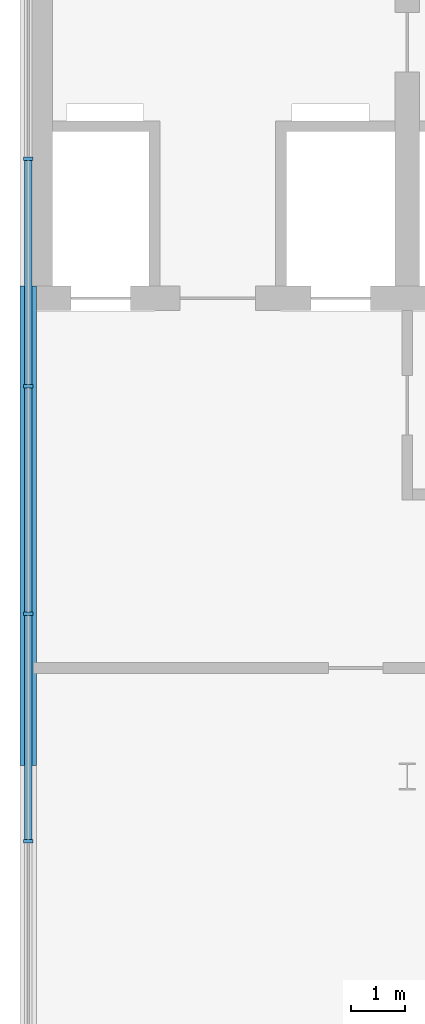
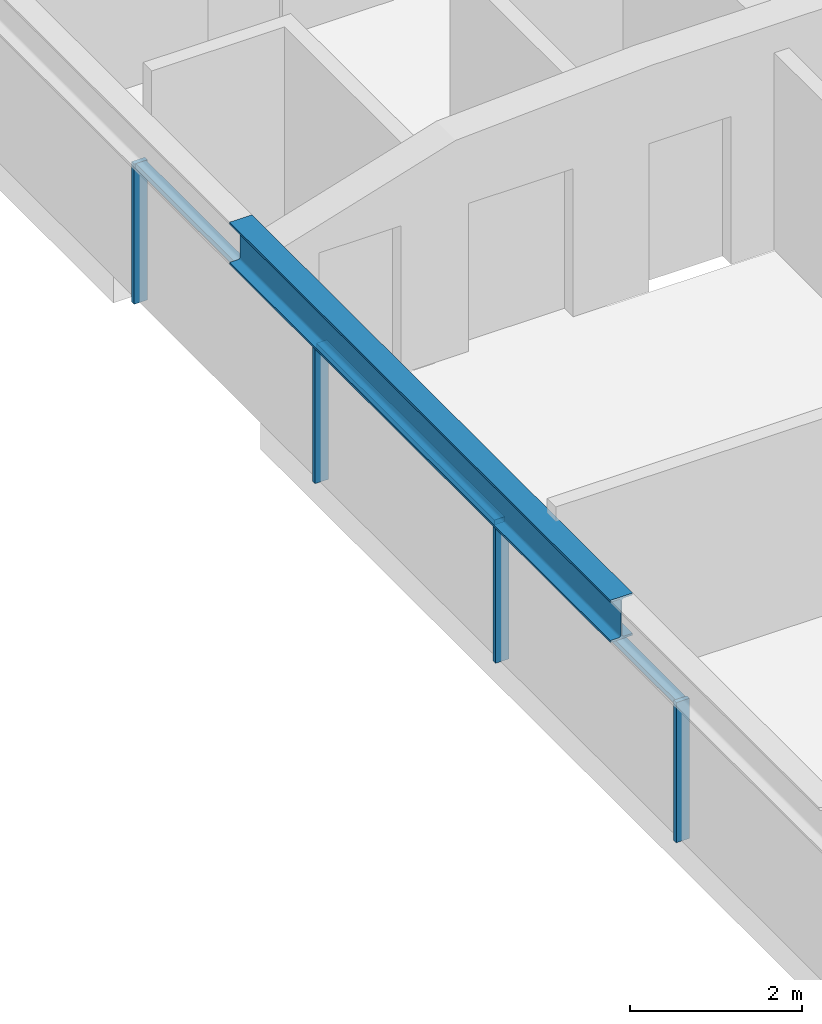
# One storey, part 4 of 13: 7 members, 1 beam, 1 element without a shape of its own.
"""IFC4 building model written with IfcOpenShell, lengths in metres."""

from ifc_helpers import new_model, si_unit, direction, frame, origin, origin_2d, place, context, subcontext, project, spatial, rectangle, i_section, extrude, material, material_profile, profile_set, type_object, element, aggregate, save


model = new_model("IFC4")

# Units and contexts
model_context = context("Model", 3, precision=1e-05, world=origin(), true_north=direction((0.0, 1.0)))
body_context = subcontext(model_context, "Body", "Model", "MODEL_VIEW")
ifc_project = project(units=[si_unit("LENGTHUNIT", "METRE"), si_unit("AREAUNIT", "SQUARE_METRE"), si_unit("VOLUMEUNIT", "CUBIC_METRE"), si_unit("PLANEANGLEUNIT", "RADIAN"), si_unit("MASSUNIT", "GRAM", prefix="KILO")], contexts=[model_context])

# Site, building, storey
site_placement = place(None, origin())
site = spatial("IfcSite", under=ifc_project, at=site_placement, CompositionType="ELEMENT")
building_placement = place(site_placement, origin())
building = spatial("IfcBuilding", under=site, at=building_placement, Name="Wharfspan Tower", CompositionType="ELEMENT")
storey_placement = place(building_placement, frame((0.0, 0.0, 264.300049)))
storey = spatial("IfcBuildingStorey", under=building, at=storey_placement, Name="L67", CompositionType="ELEMENT", Elevation=264.300049)

# Curtain wall, members
ifc_material_1 = material(Name="Aluminium 6063-T6", Category="aluminium")
curtain_wall_type = type_object("IfcCurtainWallType", Name="CURTAIN WALL CROWN GABLE", PredefinedType="NOTDEFINED", material=ifc_material_1)
curtain_wall_placement = place(storey_placement, origin())
curtain_wall = element("IfcCurtainWall", 1, at=curtain_wall_placement, inside=storey, type_object=curtain_wall_type, Name="Crown gable glazing", PredefinedType="NOTDEFINED")
ifc_material_profile_1 = material_profile(ifc_material_1, rectangle(XDim=0.179932, YDim=0.060059, at=origin_2d()))
ifc_profile_set_1 = profile_set([ifc_material_profile_1], Name="Aluminium 6063-T6")
member_type_1 = type_object("IfcMemberType", Name="MULLION CROWN GABLE 60x180", PredefinedType="MULLION", material=ifc_profile_set_1)
member_1_placement = place(storey_placement, frame((30.0, 24.199951, 0.0), z_axis=(0.0, 0.0, 1.0), x_axis=(-1.0, 0.0, 0.0)))
member_1 = element("IfcMember", 2, at=member_1_placement, type_object=member_type_1, Name="Crown gable glazing mullion 5", PredefinedType="MULLION", context=body_context, shape_type="SweptSolid", body=[
    extrude(rectangle(XDim=0.179932, YDim=0.060059, at=origin_2d()), origin(), (0.0, 0.0, 1.0), 1.98877),
])
member_2_placement = place(storey_placement, frame((30.0, 28.399902, 0.0), z_axis=(0.0, 0.0, 1.0), x_axis=(-1.0, 0.0, 0.0)))
member_2 = element("IfcMember", 3, at=member_2_placement, type_object=member_type_1, Name="Crown gable glazing mullion 6", PredefinedType="MULLION", context=body_context, shape_type="SweptSolid", body=[
    extrude(rectangle(XDim=0.179932, YDim=0.060059, at=origin_2d()), origin(), (0.0, 0.0, 1.0), 1.98877),
])
member_3_placement = place(storey_placement, frame((30.0, 32.599854, 0.0), z_axis=(0.0, 0.0, 1.0), x_axis=(-1.0, 0.0, 0.0)))
member_3 = element("IfcMember", 4, at=member_3_placement, type_object=member_type_1, Name="Crown gable glazing mullion 7", PredefinedType="MULLION", context=body_context, shape_type="SweptSolid", body=[
    extrude(rectangle(XDim=0.179932, YDim=0.060059, at=origin_2d()), origin(), (0.0, 0.0, 1.0), 1.98877),
])
member_4_placement = place(storey_placement, frame((30.0, 36.800049, 0.0), z_axis=(0.0, 0.0, 1.0), x_axis=(-1.0, 0.0, 0.0)))
member_4 = element("IfcMember", 5, at=member_4_placement, type_object=member_type_1, Name="Crown gable glazing mullion 8", PredefinedType="MULLION", context=body_context, shape_type="SweptSolid", body=[
    extrude(rectangle(XDim=0.179932, YDim=0.060059, at=origin_2d()), origin(), (0.0, 0.0, 1.0), 1.98877),
])

# Beam
ifc_material_2 = material(Name="Steel S355J2", Category="steel")
ifc_material_profile_2 = material_profile(ifc_material_2, i_section(OverallWidth=0.300049, OverallDepth=0.600098, WebThickness=0.015381, FlangeThickness=0.030029, FilletRadius=0.0271, at=origin_2d()))
ifc_profile_set_2 = profile_set([ifc_material_profile_2], Name="Steel S355J2")
beam_type = type_object("IfcBeamType", Name="Roof girder HEB 600", PredefinedType="BEAM", material=ifc_profile_set_2)
beam_placement = place(storey_placement, frame((30.0, 25.600098, 2.293701), z_axis=(0.0, 1.0, 0.0), x_axis=(-1.0, 0.0, 0.0)))
element("IfcBeam", 6, at=beam_placement, inside=storey, type_object=beam_type, Name="Roof girder G2 26 to 34", PredefinedType="BEAM", context=body_context, shape_type="SweptSolid", body=[
    extrude(i_section(OverallWidth=0.300049, OverallDepth=0.600098, WebThickness=0.015381, FlangeThickness=0.030029, FilletRadius=0.0271, at=origin_2d()), origin(), (0.0, 0.0, 1.0), 8.849854),
])

# Member
ifc_material_profile_3 = material_profile(ifc_material_1, rectangle(XDim=0.139893, YDim=0.070068, at=origin_2d()))
ifc_profile_set_3 = profile_set([ifc_material_profile_3], Name="Aluminium 6063-T6")
member_type_2 = type_object("IfcMemberType", Name="TRANSOM CROWN GABLE 70x140", PredefinedType="USERDEFINED", material=ifc_profile_set_3)
member_5_placement = place(storey_placement, frame((30.0, 24.22998, 1.953613), z_axis=(0.0, 1.0, 0.0), x_axis=(-1.0, 0.0, 0.0)))
member_5 = element("IfcMember", 7, at=member_5_placement, type_object=member_type_2, Name="Crown gable glazing transom 5", ObjectType="TRANSOM", PredefinedType="USERDEFINED", context=body_context, shape_type="SweptSolid", body=[
    extrude(rectangle(XDim=0.139893, YDim=0.070068, at=origin_2d()), origin(), (0.0, 0.0, 1.0), 4.140137),
])

member_6_placement = place(storey_placement, frame((30.0, 28.429932, 1.953613), z_axis=(0.0, 1.0, 0.0), x_axis=(-1.0, 0.0, 0.0)))
member_6 = element("IfcMember", 8, at=member_6_placement, type_object=member_type_2, Name="Crown gable glazing transom 6", ObjectType="TRANSOM", PredefinedType="USERDEFINED", context=body_context, shape_type="SweptSolid", body=[
    extrude(rectangle(XDim=0.139893, YDim=0.070068, at=origin_2d()), origin(), (0.0, 0.0, 1.0), 4.140137),
])

member_7_placement = place(storey_placement, frame((30.0, 32.629883, 1.953613), z_axis=(0.0, 1.0, 0.0), x_axis=(-1.0, 0.0, 0.0)))
member_7 = element("IfcMember", 9, at=member_7_placement, type_object=member_type_2, Name="Crown gable glazing transom 7", ObjectType="TRANSOM", PredefinedType="USERDEFINED", context=body_context, shape_type="SweptSolid", body=[
    extrude(rectangle(XDim=0.139893, YDim=0.070068, at=origin_2d()), origin(), (0.0, 0.0, 1.0), 4.140137),
])

aggregate(curtain_wall, [member_1, member_2, member_3, member_4, member_5, member_6, member_7])

save(model, "model.ifc")
